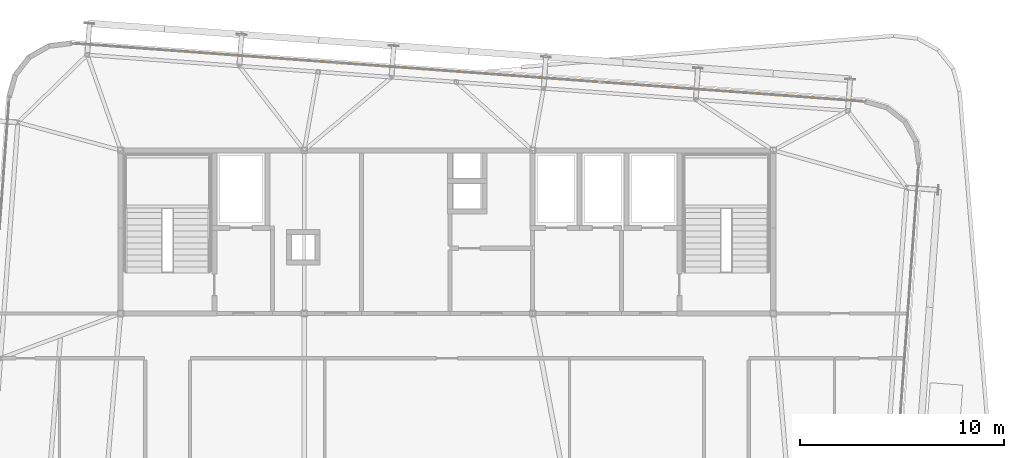
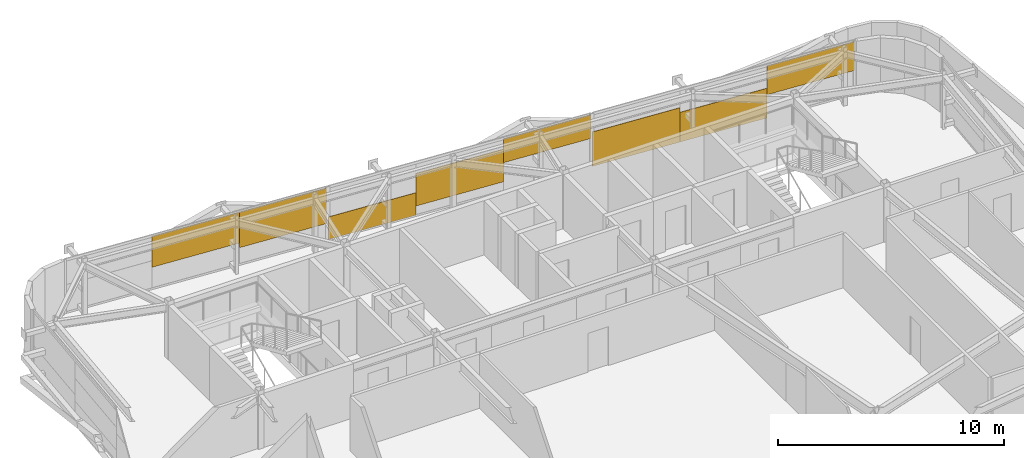
# One storey, part 37 of 37: 8 coverings.
"""IFC4 building model written with IfcOpenShell, lengths in metres."""

from ifc_helpers import new_model, si_unit, direction, frame, origin, origin_2d, place, context, subcontext, project, spatial, rectangle, extrude, source, transform, mapped, material, layer, layer_set, type_object, element, save


model = new_model("IFC4")

# Units and contexts
model_context = context("Model", 3, precision=1e-05, world=origin(), true_north=direction((0.0, 1.0)))
body_context = subcontext(model_context, "Body", "Model", "MODEL_VIEW")
ifc_project = project(units=[si_unit("LENGTHUNIT", "METRE"), si_unit("AREAUNIT", "SQUARE_METRE"), si_unit("VOLUMEUNIT", "CUBIC_METRE"), si_unit("PLANEANGLEUNIT", "RADIAN"), si_unit("MASSUNIT", "GRAM", prefix="KILO")], contexts=[model_context])

# Site, building, storey
site_placement = place(None, origin())
site = spatial("IfcSite", under=ifc_project, at=site_placement, CompositionType="ELEMENT")
building_placement = place(site_placement, origin())
building = spatial("IfcBuilding", under=site, at=building_placement, Name="Taldren Reach Tower", CompositionType="ELEMENT")
storey_placement = place(building_placement, frame((0.0, 0.0, 211.39990234375)))
storey = spatial("IfcBuildingStorey", under=building, at=storey_placement, Name="L64", CompositionType="ELEMENT", Elevation=211.39990234375)

# Coverings
ifc_material = material(Name="Pale Champagne Fluoropolymer Aluminium Spandrel Cladding", Category="aluminium")
ifc_layer = layer(ifc_material, 0.0439453125)
ifc_layer_set = layer_set([ifc_layer], Name="Pale Champagne Fluoropolymer Aluminium Spandrel Cladding")
covering_type = type_object("IfcCoveringType", Name="CV-CLAD-044", PredefinedType="CLADDING", material=ifc_layer_set)
shared_shape_1 = source(origin(), body_context, "Body", "SweptSolid", [
    extrude(rectangle(XDim=4.2958984375, YDim=0.0439453125, at=origin_2d()), origin(), (0.0, 0.0, 1.0), 1.665771484375),
])
covering_1_placement = place(storey_placement, frame((23.1005859375, 36.7685546875, 1.2041015625), z_axis=(0.0, 0.0, 1.0), x_axis=(-0.997314476006, 0.073238213716, 0.0)))
element("IfcCovering", 1, at=covering_1_placement, inside=storey, type_object=covering_type, Name="Diagrid closure cladding strip CW-6 panel 3.1 2", PredefinedType="CLADDING", context=body_context, shape_type="MappedRepresentation", body=[
    mapped(shared_shape_1, transform((0.0, 0.0, 0.0), scale=1.0)),
])
shared_shape_2 = source(origin(), body_context, "Body", "SweptSolid", [
    extrude(rectangle(XDim=4.2958984375, YDim=0.0439453125, at=origin_2d()), origin(), (0.0, 0.0, 1.0), 1.9169921875),
])
covering_2_placement = place(storey_placement, frame((27.384765625, 36.4541015625, 0.953125), z_axis=(0.0, 0.0, 1.0), x_axis=(-0.997314476006, 0.073238213716, 0.0)))
element("IfcCovering", 2, at=covering_2_placement, inside=storey, type_object=covering_type, Name="Diagrid closure cladding strip CW-6 panel 3.1 1", PredefinedType="CLADDING", context=body_context, shape_type="MappedRepresentation", body=[
    mapped(shared_shape_2, transform((0.0, 0.0, 0.0), scale=1.0)),
])
shared_shape_3 = source(origin(), body_context, "Body", "SweptSolid", [
    extrude(rectangle(XDim=4.308349609375, YDim=0.0439453125, at=origin_2d()), origin(), (0.0, 0.0, 1.0), 1.22021484375),
])
covering_3_placement = place(storey_placement, frame((31.750244140625, 36.133544921875, 0.06005859375), z_axis=(0.0, 0.0, 1.0), x_axis=(-0.997314476006, 0.073238213716, 0.0)))
element("IfcCovering", 3, at=covering_3_placement, inside=storey, type_object=covering_type, Name="Diagrid closure cladding strip CW-6 panel 2.1 3", PredefinedType="CLADDING", context=body_context, shape_type="MappedRepresentation", body=[
    mapped(shared_shape_3, transform((0.0, 0.0, 0.0), scale=1.0)),
])
shared_shape_4 = source(origin(), body_context, "Body", "SweptSolid", [
    extrude(rectangle(XDim=4.308349609375, YDim=0.0439453125, at=origin_2d()), origin(), (0.0, 0.0, 1.0), 1.75146484375),
])
covering_4_placement = place(storey_placement, frame((36.046875, 35.81787109375, 0.559326171875), z_axis=(0.0, 0.0, 1.0), x_axis=(-0.997314476006, 0.073238213716, 0.0)))
element("IfcCovering", 4, at=covering_4_placement, inside=storey, type_object=covering_type, Name="Diagrid closure cladding strip CW-6 panel 2.1 2", PredefinedType="CLADDING", context=body_context, shape_type="MappedRepresentation", body=[
    mapped(shared_shape_4, transform((0.0, 0.0, 0.0), scale=1.0)),
])
shared_shape_5 = source(origin(), body_context, "Body", "SweptSolid", [
    extrude(rectangle(XDim=4.308349609375, YDim=0.0439453125, at=origin_2d()), origin(), (0.0, 0.0, 1.0), 1.2802734375),
])
covering_5_placement = place(storey_placement, frame((40.34375, 35.50244140625, 1.58984375), z_axis=(0.0, 0.0, 1.0), x_axis=(-0.997314476006, 0.073238213716, 0.0)))
element("IfcCovering", 5, at=covering_5_placement, inside=storey, type_object=covering_type, Name="Diagrid closure cladding strip CW-6 panel 2.1 1", PredefinedType="CLADDING", context=body_context, shape_type="MappedRepresentation", body=[
    mapped(shared_shape_5, transform((0.0, 0.0, 0.0), scale=1.0)),
])
shared_shape_6 = source(origin(), body_context, "Body", "SweptSolid", [
    extrude(rectangle(XDim=4.2958984375, YDim=0.0439453125, at=origin_2d()), origin(), (0.0, 0.0, 1.0), 1.85693359375),
])
covering_6_placement = place(storey_placement, frame((44.708984375, 35.181884765625, 0.06005859375), z_axis=(0.0, 0.0, 1.0), x_axis=(-0.997314476006, 0.073238213716, 0.0)))
element("IfcCovering", 6, at=covering_6_placement, inside=storey, type_object=covering_type, Name="Diagrid closure cladding strip CW-6 panel 1.1 3", PredefinedType="CLADDING", context=body_context, shape_type="MappedRepresentation", body=[
    mapped(shared_shape_6, transform((0.0, 0.0, 0.0), scale=1.0)),
])
shared_shape_7 = source(origin(), body_context, "Body", "SweptSolid", [
    extrude(rectangle(XDim=4.2958984375, YDim=0.0439453125, at=origin_2d()), origin(), (0.0, 0.0, 1.0), 1.605712890625),
])
covering_7_placement = place(storey_placement, frame((48.993408203125, 34.8671875, 0.06005859375), z_axis=(0.0, 0.0, 1.0), x_axis=(-0.997314476006, 0.073238213716, 0.0)))
element("IfcCovering", 7, at=covering_7_placement, inside=storey, type_object=covering_type, Name="Diagrid closure cladding strip CW-6 panel 1.1 2", PredefinedType="CLADDING", context=body_context, shape_type="MappedRepresentation", body=[
    mapped(shared_shape_7, transform((0.0, 0.0, 0.0), scale=1.0)),
])
shared_shape_8 = source(origin(), body_context, "Body", "SweptSolid", [
    extrude(rectangle(XDim=4.2958984375, YDim=0.0439453125, at=origin_2d()), origin(), (0.0, 0.0, 1.0), 1.555908203125),
])
covering_8_placement = place(storey_placement, frame((53.277587890625, 34.552490234375, 1.31396484375), z_axis=(0.0, 0.0, 1.0), x_axis=(-0.997314476006, 0.073238213716, 0.0)))
element("IfcCovering", 8, at=covering_8_placement, inside=storey, type_object=covering_type, Name="Diagrid closure cladding strip CW-6 panel 1.1 1", PredefinedType="CLADDING", context=body_context, shape_type="MappedRepresentation", body=[
    mapped(shared_shape_8, transform((0.0, 0.0, 0.0), scale=1.0)),
])

save(model, "model.ifc")
